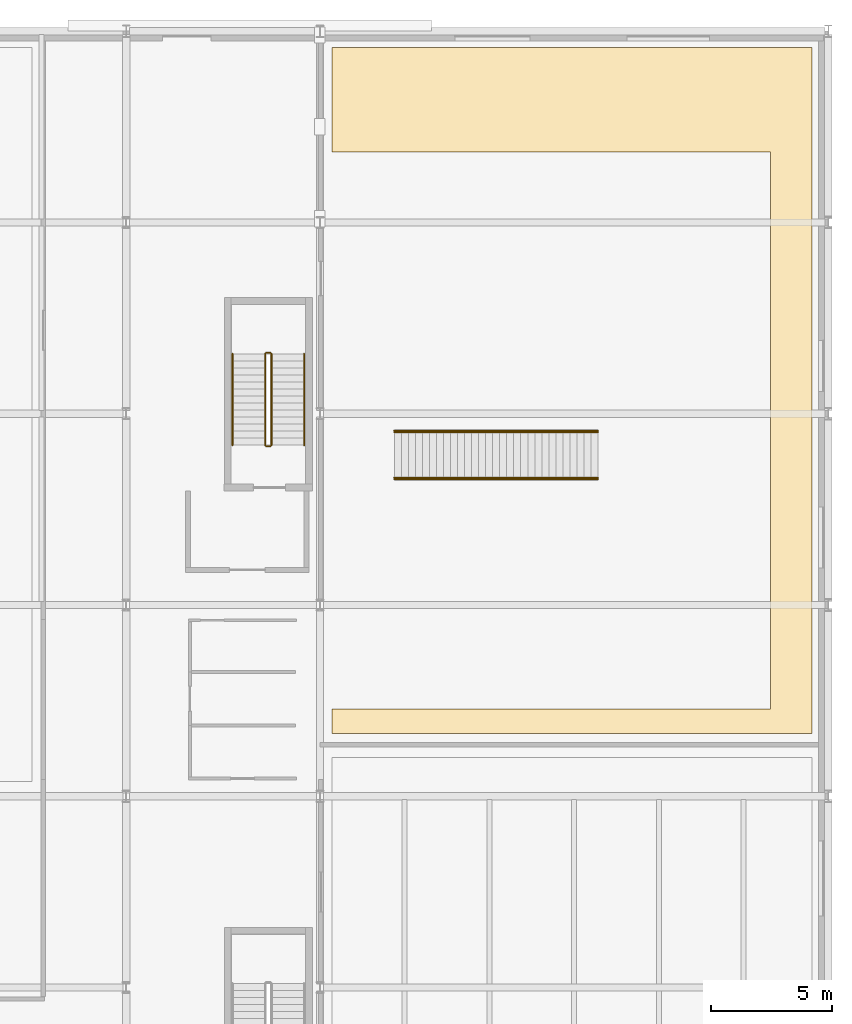
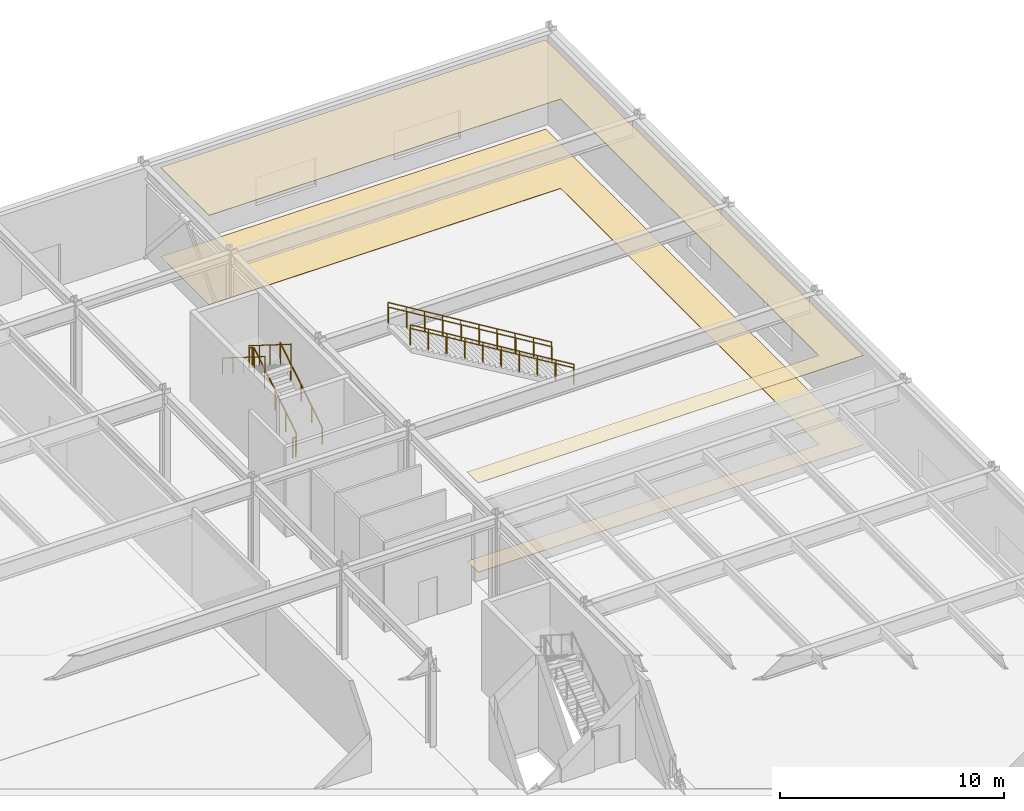
# One storey, part 96 of 97: 10 railings, 2 coverings.
"""IFC4 building model written with IfcOpenShell, lengths in metres."""

from ifc_helpers import new_model, si_unit, direction, frame, origin, origin_2d, place, context, subcontext, project, spatial, polyline, circle, outline, extrude, material, layer, layer_set, type_object, element, save


model = new_model("IFC4")

# Units and contexts
model_context = context("Model", 3, precision=1e-05, world=origin(), true_north=direction((0.0, 1.0)))
body_context = subcontext(model_context, "Body", "Model", "MODEL_VIEW")
ifc_project = project(units=[si_unit("LENGTHUNIT", "METRE"), si_unit("AREAUNIT", "SQUARE_METRE"), si_unit("VOLUMEUNIT", "CUBIC_METRE"), si_unit("PLANEANGLEUNIT", "RADIAN"), si_unit("MASSUNIT", "GRAM", prefix="KILO")], contexts=[model_context])

# Site, building, storey
site_placement = place(None, origin())
site = spatial("IfcSite", under=ifc_project, at=site_placement, CompositionType="ELEMENT")
building_placement = place(site_placement, origin())
building = spatial("IfcBuilding", under=site, at=building_placement, Name="Varnklinge Art Gallery", CompositionType="ELEMENT")
storey_placement = place(building_placement, origin())
storey = spatial("IfcBuildingStorey", under=building, at=storey_placement, Name="L00", CompositionType="ELEMENT", Elevation=0.0)

# Railings
ifc_material_1 = material(Name="Anodised Aluminium", Category="aluminium")
railing_type_1 = type_object("IfcRailingType", Name="BAL-01", PredefinedType="BALUSTRADE", material=ifc_material_1)
for number, where, name in (
    (1, (154.885009765625, 97.0, 0.0), "L00 East Gallery Feature Stair Balustrade N"),
    (2, (154.885009765625, 95.0, 0.0), "L00 East Gallery Feature Stair Balustrade S"),
):
    element("IfcRailing", number, at=place(storey_placement, frame(where)), inside=storey, type_object=railing_type_1, Name=name, PredefinedType="BALUSTRADE", context=body_context, shape_type="SweptSolid", body=[
        extrude(circle(Radius=0.02392578125, at=origin_2d()), frame((0.0, 0.0, 1.11572265625), z_axis=(-0.855054432857, 0.0, 0.518538250134), x_axis=(0.0, -1.0, 0.0)), (0.0, 0.0, 1.0), 9.83544921875),
        extrude(circle(Radius=0.02099609375, at=origin_2d()), origin(), (0.0, 0.0, 1.0), 1.091796875),
        extrude(circle(Radius=0.02099609375, at=origin_2d()), frame((-0.934326171875, 0.0, 0.566650390625)), (0.0, 0.0, 1.0), 1.091796875),
        extrude(circle(Radius=0.02099609375, at=origin_2d()), frame((-1.868896484375, 0.0, 1.13330078125)), (0.0, 0.0, 1.0), 1.091796875),
        extrude(circle(Radius=0.02099609375, at=origin_2d()), frame((-2.80322265625, 0.0, 1.699951171875)), (0.0, 0.0, 1.0), 1.091796875),
        extrude(circle(Radius=0.02099609375, at=origin_2d()), frame((-3.73779296875, 0.0, 2.2666015625)), (0.0, 0.0, 1.0), 1.091796875),
        extrude(circle(Radius=0.02099609375, at=origin_2d()), frame((-4.672119140625, 0.0, 2.83349609375)), (0.0, 0.0, 1.0), 1.091796875),
        extrude(circle(Radius=0.02099609375, at=origin_2d()), frame((-5.606689453125, 0.0, 3.400146484375)), (0.0, 0.0, 1.0), 1.091796875),
        extrude(circle(Radius=0.02099609375, at=origin_2d()), frame((-6.541015625, 0.0, 3.966796875)), (0.0, 0.0, 1.0), 1.091796875),
        extrude(circle(Radius=0.02099609375, at=origin_2d()), frame((-7.4755859375, 0.0, 4.533447265625)), (0.0, 0.0, 1.0), 1.091796875),
        extrude(circle(Radius=0.02099609375, at=origin_2d()), frame((-8.409912109375, 0.0, 5.10009765625)), (0.0, 0.0, 1.0), 1.091796875),
    ])

# Coverings
ifc_material_2 = material(Name="Acoustic Mineral Tile", Category="mineral")
ifc_layer_1 = layer(ifc_material_2, 0.02490234375)
ifc_layer_set_1 = layer_set([ifc_layer_1], Name="Acoustic Mineral Tile")
covering_type_1 = type_object("IfcCoveringType", Name="CLG-AC", PredefinedType="CEILING", material=ifc_layer_set_1)
covering_1_placement = place(storey_placement, frame((0.0, 0.0, 4.85498046875)))
element("IfcCovering", 3, at=covering_1_placement, inside=storey, type_object=covering_type_1, Name="L00 Acoustic Mineral Ceiling 004", PredefinedType="CEILING", context=body_context, shape_type="SweptSolid", body=[
    extrude(outline(polyline([(143.89990234375, 84.5), (163.719970703125, 84.5), (163.719970703125, 112.820068359375), (143.89990234375, 112.820068359375), (143.89990234375, 108.5), (162.0, 108.5), (162.0, 85.5), (143.89990234375, 85.5), (143.89990234375, 84.5)])), origin(), (0.0, 0.0, 1.0), 0.02490234375),
])
ifc_material_3 = material(Name="Polished Terrazzo Flooring", Category="stone")
ifc_layer_2 = layer(ifc_material_3, 0.02001953125)
ifc_layer_set_2 = layer_set([ifc_layer_2], Name="Polished Terrazzo Flooring")
covering_type_2 = type_object("IfcCoveringType", Name="FLR-STN", PredefinedType="FLOORING", material=ifc_layer_set_2)
covering_2_placement = place(storey_placement, origin())
element("IfcCovering", 4, at=covering_2_placement, inside=storey, type_object=covering_type_2, Name="L00 Gallery Terrazzo Flooring 004", PredefinedType="FLOORING", context=body_context, shape_type="SweptSolid", body=[
    extrude(outline(polyline([(143.89990234375, 84.5), (163.719970703125, 84.5), (163.719970703125, 112.820068359375), (143.89990234375, 112.820068359375), (143.89990234375, 108.5), (162.0, 108.5), (162.0, 85.5), (143.89990234375, 85.5), (143.89990234375, 84.5)])), origin(), (0.0, 0.0, 1.0), 0.02001953125),
])

# Railings
ifc_material_4 = material(Name="Steel S355", Category="steel")
railing_type_2 = type_object("IfcRailingType", Name="GR-INT", PredefinedType="GUARDRAIL", material=ifc_material_4)
railing_1_placement = place(storey_placement, frame((141.39990234375, 96.39990234375, 0.18212890625)))
element("IfcRailing", 5, at=railing_1_placement, inside=storey, type_object=railing_type_2, Name="L00 ST-07 stair guard 1", PredefinedType="GUARDRAIL", context=body_context, shape_type="SweptSolid", body=[
    extrude(circle(Radius=0.02392578125, at=origin_2d()), frame((0.0, 0.0, 1.076171875), z_axis=(0.0, 0.846819337722, 0.53188063441), x_axis=(-1.0, 0.0, 0.0)), (0.0, 0.0, 1.0), 4.451904296875),
    extrude(circle(Radius=0.02099609375, at=origin_2d()), origin(), (0.0, 0.0, 1.0), 1.052001953125),
    extrude(circle(Radius=0.02099609375, at=origin_2d()), frame((0.0, 0.9423828125, 0.592041015625)), (0.0, 0.0, 1.0), 1.052001953125),
    extrude(circle(Radius=0.02099609375, at=origin_2d()), frame((0.0, 1.885009765625, 1.18408203125)), (0.0, 0.0, 1.0), 1.052001953125),
    extrude(circle(Radius=0.02099609375, at=origin_2d()), frame((0.0, 2.82763671875, 1.77587890625)), (0.0, 0.0, 1.0), 1.052001953125),
    extrude(circle(Radius=0.02099609375, at=origin_2d()), frame((0.0, 3.77001953125, 2.367919921875)), (0.0, 0.0, 1.0), 1.052001953125),
])
railing_2_placement = place(storey_placement, frame((141.35009765625, 100.219970703125, 2.550048828125)))
element("IfcRailing", 6, at=railing_2_placement, inside=storey, type_object=railing_type_2, Name="L00 ST-07 stair guard 2", PredefinedType="GUARDRAIL", context=body_context, shape_type="SweptSolid", body=[
    extrude(circle(Radius=0.02392578125, at=origin_2d()), frame((0.0, 0.0, 1.076171875), z_axis=(-1.0, 0.0, 0.0), x_axis=(0.0, -1.0, 0.0)), (0.0, 0.0, 1.0), 0.16015625),
    extrude(circle(Radius=0.02099609375, at=origin_2d()), origin(), (0.0, 0.0, 1.0), 1.052001953125),
    extrude(circle(Radius=0.02099609375, at=origin_2d()), frame((-0.16015625, 0.0, 0.0)), (0.0, 0.0, 1.0), 1.052001953125),
])
railing_3_placement = place(storey_placement, frame((141.139892578125, 100.169921875, 2.732177734375)))
element("IfcRailing", 7, at=railing_3_placement, inside=storey, type_object=railing_type_2, Name="L00 ST-07 stair guard 3", PredefinedType="GUARDRAIL", context=body_context, shape_type="SweptSolid", body=[
    extrude(circle(Radius=0.02392578125, at=origin_2d()), frame((0.0, 0.0, 1.076171875), z_axis=(0.0, -0.846819337722, 0.53188063441), x_axis=(1.0, 0.0, 0.0)), (0.0, 0.0, 1.0), 4.451904296875),
    extrude(circle(Radius=0.02099609375, at=origin_2d()), origin(), (0.0, 0.0, 1.0), 1.052001953125),
    extrude(circle(Radius=0.02099609375, at=origin_2d()), frame((0.0, -0.9423828125, 0.592041015625)), (0.0, 0.0, 1.0), 1.052001953125),
    extrude(circle(Radius=0.02099609375, at=origin_2d()), frame((0.0, -1.885009765625, 1.18408203125)), (0.0, 0.0, 1.0), 1.052001953125),
    extrude(circle(Radius=0.02099609375, at=origin_2d()), frame((0.0, -2.82763671875, 1.77587890625)), (0.0, 0.0, 1.0), 1.052001953125),
    extrude(circle(Radius=0.02099609375, at=origin_2d()), frame((0.0, -3.77001953125, 2.367919921875)), (0.0, 0.0, 1.0), 1.052001953125),
])
railing_4_placement = place(storey_placement, frame((141.35009765625, 96.35009765625, 0.0)))
element("IfcRailing", 8, at=railing_4_placement, inside=storey, type_object=railing_type_2, Name="L00 ST-07 stair guard 4", PredefinedType="GUARDRAIL", context=body_context, shape_type="SweptSolid", body=[
    extrude(circle(Radius=0.02392578125, at=origin_2d()), frame((0.0, 0.0, 1.076171875), z_axis=(-1.0, 0.0, 0.0), x_axis=(0.0, -1.0, 0.0)), (0.0, 0.0, 1.0), 0.16015625),
    extrude(circle(Radius=0.02099609375, at=origin_2d()), origin(), (0.0, 0.0, 1.0), 1.052001953125),
    extrude(circle(Radius=0.02099609375, at=origin_2d()), frame((-0.16015625, 0.0, 0.0)), (0.0, 0.0, 1.0), 1.052001953125),
])
ifc_material_5 = material(Name="Steel S355", Category="steel")
railing_type_3 = type_object("IfcRailingType", Name="HR-01", PredefinedType="HANDRAIL", material=ifc_material_5)
railing_5_placement = place(storey_placement, frame((142.75, 96.39990234375, 0.18212890625)))
element("IfcRailing", 9, at=railing_5_placement, inside=storey, type_object=railing_type_3, Name="L00 ST-07 stair handrail 1", PredefinedType="HANDRAIL", context=body_context, shape_type="SweptSolid", body=[
    extrude(circle(Radius=0.02392578125, at=origin_2d()), frame((0.0, 0.0, 0.8759765625), z_axis=(0.0, 0.846819337722, 0.53188063441), x_axis=(-1.0, 0.0, 0.0)), (0.0, 0.0, 1.0), 4.451904296875),
    extrude(circle(Radius=0.02099609375, at=origin_2d()), origin(), (0.0, 0.0, 1.0), 0.851806640625),
    extrude(circle(Radius=0.02099609375, at=origin_2d()), frame((0.0, 0.9423828125, 0.592041015625)), (0.0, 0.0, 1.0), 0.851806640625),
    extrude(circle(Radius=0.02099609375, at=origin_2d()), frame((0.0, 1.885009765625, 1.18408203125)), (0.0, 0.0, 1.0), 0.851806640625),
    extrude(circle(Radius=0.02099609375, at=origin_2d()), frame((0.0, 2.82763671875, 1.77587890625)), (0.0, 0.0, 1.0), 0.851806640625),
    extrude(circle(Radius=0.02099609375, at=origin_2d()), frame((0.0, 3.77001953125, 2.367919921875)), (0.0, 0.0, 1.0), 0.851806640625),
])
railing_6_placement = place(storey_placement, frame((139.7900390625, 100.169921875, 2.732177734375)))
element("IfcRailing", 10, at=railing_6_placement, inside=storey, type_object=railing_type_3, Name="L00 ST-07 stair handrail 2", PredefinedType="HANDRAIL", context=body_context, shape_type="SweptSolid", body=[
    extrude(circle(Radius=0.02392578125, at=origin_2d()), frame((0.0, 0.0, 0.8759765625), z_axis=(0.0, -0.846819337722, 0.53188063441), x_axis=(1.0, 0.0, 0.0)), (0.0, 0.0, 1.0), 4.451904296875),
    extrude(circle(Radius=0.02099609375, at=origin_2d()), origin(), (0.0, 0.0, 1.0), 0.851806640625),
    extrude(circle(Radius=0.02099609375, at=origin_2d()), frame((0.0, -0.9423828125, 0.592041015625)), (0.0, 0.0, 1.0), 0.851806640625),
    extrude(circle(Radius=0.02099609375, at=origin_2d()), frame((0.0, -1.885009765625, 1.18408203125)), (0.0, 0.0, 1.0), 0.851806640625),
    extrude(circle(Radius=0.02099609375, at=origin_2d()), frame((0.0, -2.82763671875, 1.77587890625)), (0.0, 0.0, 1.0), 0.851806640625),
    extrude(circle(Radius=0.02099609375, at=origin_2d()), frame((0.0, -3.77001953125, 2.367919921875)), (0.0, 0.0, 1.0), 0.851806640625),
])
for number, where, name in (
    (11, (154.885009765625, 96.93994140625, 0.0), "L00 East Gallery Feature Stair Handrail N"),
    (12, (154.885009765625, 95.06005859375, 0.0), "L00 East Gallery Feature Stair Handrail S"),
):
    element("IfcRailing", number, at=place(storey_placement, frame(where)), inside=storey, type_object=railing_type_3, Name=name, PredefinedType="HANDRAIL", context=body_context, shape_type="SweptSolid", body=[
        extrude(circle(Radius=0.02392578125, at=origin_2d()), frame((0.0, 0.0, 0.89599609375), z_axis=(-0.855054432857, 0.0, 0.518538250134), x_axis=(0.0, -1.0, 0.0)), (0.0, 0.0, 1.0), 9.83544921875),
        extrude(circle(Radius=0.02099609375, at=origin_2d()), origin(), (0.0, 0.0, 1.0), 0.871826171875),
        extrude(circle(Radius=0.02099609375, at=origin_2d()), frame((-0.934326171875, 0.0, 0.566650390625)), (0.0, 0.0, 1.0), 0.871826171875),
        extrude(circle(Radius=0.02099609375, at=origin_2d()), frame((-1.868896484375, 0.0, 1.13330078125)), (0.0, 0.0, 1.0), 0.871826171875),
        extrude(circle(Radius=0.02099609375, at=origin_2d()), frame((-2.80322265625, 0.0, 1.699951171875)), (0.0, 0.0, 1.0), 0.871826171875),
        extrude(circle(Radius=0.02099609375, at=origin_2d()), frame((-3.73779296875, 0.0, 2.2666015625)), (0.0, 0.0, 1.0), 0.871826171875),
        extrude(circle(Radius=0.02099609375, at=origin_2d()), frame((-4.672119140625, 0.0, 2.83349609375)), (0.0, 0.0, 1.0), 0.871826171875),
        extrude(circle(Radius=0.02099609375, at=origin_2d()), frame((-5.606689453125, 0.0, 3.400146484375)), (0.0, 0.0, 1.0), 0.871826171875),
        extrude(circle(Radius=0.02099609375, at=origin_2d()), frame((-6.541015625, 0.0, 3.966796875)), (0.0, 0.0, 1.0), 0.871826171875),
        extrude(circle(Radius=0.02099609375, at=origin_2d()), frame((-7.4755859375, 0.0, 4.533447265625)), (0.0, 0.0, 1.0), 0.871826171875),
        extrude(circle(Radius=0.02099609375, at=origin_2d()), frame((-8.409912109375, 0.0, 5.10009765625)), (0.0, 0.0, 1.0), 0.871826171875),
    ])

save(model, "model.ifc")
